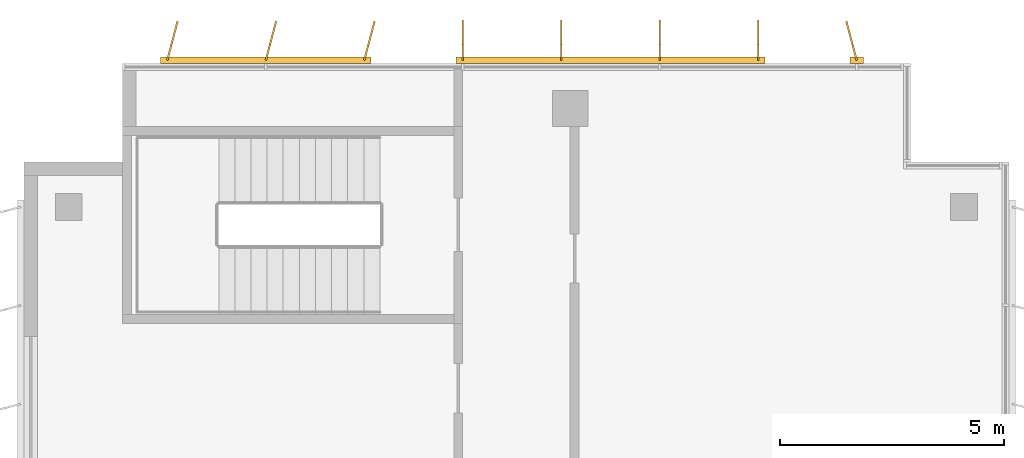
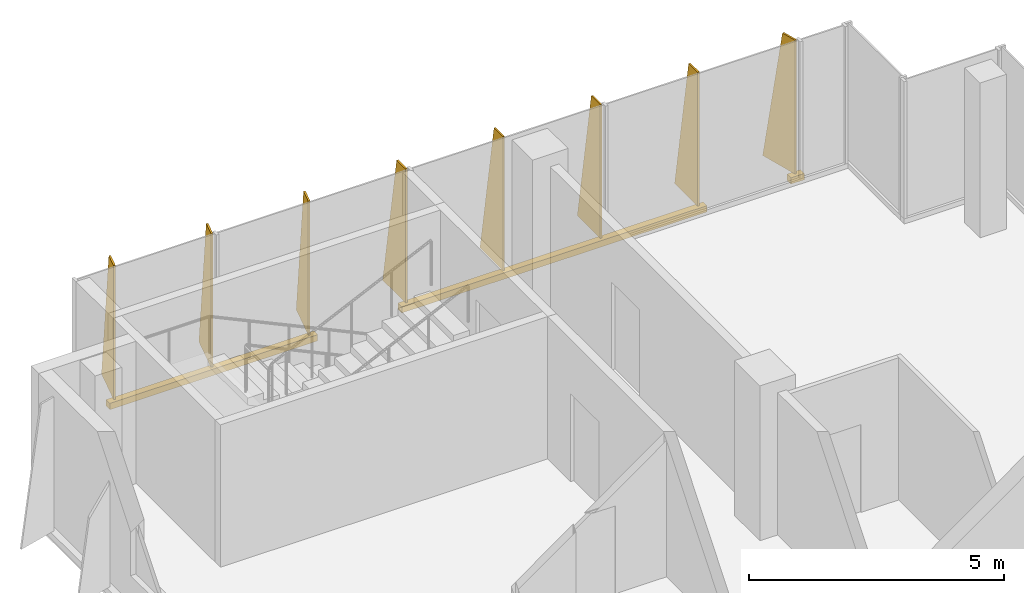
# One storey, part 15 of 15: 3 shading devices.
"""IFC4 building model written with IfcOpenShell, lengths in metres."""

from ifc_helpers import new_model, si_unit, direction, frame, origin, origin_2d, place, context, subcontext, project, spatial, polyline, rectangle, outline, extrude, source, transform, mapped, material, layer, layer_set, type_object, element, save


model = new_model("IFC4")

# Units and contexts
model_context = context("Model", 3, precision=1e-05, world=origin(), true_north=direction((0.0, 1.0)))
body_context = subcontext(model_context, "Body", "Model", "MODEL_VIEW")
ifc_project = project(units=[si_unit("LENGTHUNIT", "METRE"), si_unit("AREAUNIT", "SQUARE_METRE"), si_unit("VOLUMEUNIT", "CUBIC_METRE"), si_unit("PLANEANGLEUNIT", "RADIAN"), si_unit("MASSUNIT", "GRAM", prefix="KILO")], contexts=[model_context])

# Site, building, storey
site_placement = place(None, origin())
site = spatial("IfcSite", under=ifc_project, at=site_placement, CompositionType="ELEMENT")
building_placement = place(site_placement, origin())
building = spatial("IfcBuilding", under=site, at=building_placement, Name="Kemantara Hotel Tower", CompositionType="ELEMENT")
storey_placement = place(building_placement, frame((0.0, 0.0, 294.39990234375)))
storey = spatial("IfcBuildingStorey", under=building, at=storey_placement, Name="L74", CompositionType="ELEMENT", Elevation=294.39990234375)

# Shading devices
ifc_material = material(Name="Perforated aluminium plate 4 mm bronze anodised", Category="aluminium")
ifc_layer_1 = layer(ifc_material, 0.0400390625)
ifc_layer_set_1 = layer_set([ifc_layer_1], Name="Perforated aluminium plate 4 mm bronze anodised")
shading_device_type_1 = type_object("IfcShadingDeviceType", Name="SCREEN FIN CASSETTE, 3 BLADES AT -15.0 DEG, 3200 HIGH", PredefinedType="USERDEFINED", material=ifc_layer_set_1)
shared_shape_1 = source(origin(), body_context, "Body", "SweptSolid", [
    extrude(rectangle(XDim=4.699951171875, YDim=0.14990234375, at=origin_2d()), frame((2.199951171875, -0.074951171875, -0.14990234375), z_axis=(0.0, 0.0, 1.0), x_axis=(1.0, 0.0, 0.0)), (0.0, 0.0, 1.0), 0.14990234375),
    extrude(outline(polyline([(0.0, 0.0), (0.89990234375, 0.0), (0.35009765625, 3.199951171875), (0.0, 3.199951171875), (0.0, 0.0)])), frame((0.019287109375, -0.080078125, 0.0), z_axis=(-0.966437683387, 0.256901156343, 0.0), x_axis=(-0.256901156343, -0.966437683387, 0.0)), (0.0, 0.0, 1.0), 0.039794921875),
    extrude(outline(polyline([(0.0, 0.0), (0.89990234375, 0.0), (0.35009765625, 3.199951171875), (0.0, 3.199951171875), (0.0, 0.0)])), frame((2.21923828125, -0.080078125, 0.0), z_axis=(-0.966437683387, 0.256901156343, 0.0), x_axis=(-0.256901156343, -0.966437683387, 0.0)), (0.0, 0.0, 1.0), 0.039794921875),
    extrude(outline(polyline([(0.0, 0.0), (0.89990234375, 0.0), (0.35009765625, 3.199951171875), (0.0, 3.199951171875), (0.0, 0.0)])), frame((4.41943359375, -0.080078125, 0.0), z_axis=(-0.966837822169, 0.255391122837, 0.0), x_axis=(-0.255391122837, -0.966837822169, 0.0)), (0.0, 0.0, 1.0), 0.0400390625),
])
shading_device_1_placement = place(storey_placement, frame((7.60009765625, 63.60009765625, 0.10009765625), z_axis=(0.0, 0.0, 1.0), x_axis=(-1.0, 0.0, 0.0)))
element("IfcShadingDevice", 1, at=shading_device_1_placement, inside=storey, type_object=shading_device_type_1, Name="SCREEN FIN CASSETTE L74 T4-R02-3", ObjectType="SCREEN FIN", PredefinedType="USERDEFINED", context=body_context, shape_type="MappedRepresentation", body=[
    mapped(shared_shape_1, transform((0.0, 0.0, 0.0))),
])
ifc_layer_2 = layer(ifc_material, 0.0400390625)
ifc_layer_set_2 = layer_set([ifc_layer_2], Name="Perforated aluminium plate 4 mm bronze anodised")
shading_device_type_2 = type_object("IfcShadingDeviceType", Name="SCREEN FIN CASSETTE, 4 BLADES AT +0.0 DEG, 3200 HIGH", PredefinedType="USERDEFINED", material=ifc_layer_set_2)
shared_shape_2 = source(origin(), body_context, "Body", "SweptSolid", [
    extrude(rectangle(XDim=6.89990234375, YDim=0.14990234375, at=origin_2d()), frame((3.300048828125, -0.074951171875, -0.14990234375), z_axis=(0.0, 0.0, 1.0), x_axis=(1.0, 0.0, 0.0)), (0.0, 0.0, 1.0), 0.14990234375),
    extrude(outline(polyline([(0.0, 0.0), (0.89990234375, 0.0), (0.35009765625, 3.199951171875), (0.0, 3.199951171875), (0.0, 0.0)])), frame((0.02001953125, -0.074951171875, 0.0), z_axis=(-1.0, 0.0, 0.0), x_axis=(0.0, -1.0, 0.0)), (0.0, 0.0, 1.0), 0.0400390625),
    extrude(outline(polyline([(0.0, 0.0), (0.89990234375, 0.0), (0.35009765625, 3.199951171875), (0.0, 3.199951171875), (0.0, 0.0)])), frame((2.219970703125, -0.074951171875, 0.0), z_axis=(-1.0, 0.0, 0.0), x_axis=(0.0, -1.0, 0.0)), (0.0, 0.0, 1.0), 0.0400390625),
    extrude(outline(polyline([(0.0, 0.0), (0.89990234375, 0.0), (0.35009765625, 3.199951171875), (0.0, 3.199951171875), (0.0, 0.0)])), frame((4.419921875, -0.074951171875, 0.0), z_axis=(-1.0, 0.0, 0.0), x_axis=(0.0, -1.0, 0.0)), (0.0, 0.0, 1.0), 0.0400390625),
    extrude(outline(polyline([(0.0, 0.0), (0.89990234375, 0.0), (0.35009765625, 3.199951171875), (0.0, 3.199951171875), (0.0, 0.0)])), frame((6.6201171875, -0.074951171875, 0.0), z_axis=(-1.0, 0.0, 0.0), x_axis=(0.0, -1.0, 0.0)), (0.0, 0.0, 1.0), 0.0400390625),
])
shading_device_2_placement = place(storey_placement, frame((16.39990234375, 63.60009765625, 0.10009765625), z_axis=(0.0, 0.0, 1.0), x_axis=(-1.0, 0.0, 0.0)))
element("IfcShadingDevice", 2, at=shading_device_2_placement, inside=storey, type_object=shading_device_type_2, Name="SCREEN FIN CASSETTE L74 T4-R02-2", ObjectType="SCREEN FIN", PredefinedType="USERDEFINED", context=body_context, shape_type="MappedRepresentation", body=[
    mapped(shared_shape_2, transform((0.0, 0.0, 0.0))),
])
ifc_layer_3 = layer(ifc_material, 0.0400390625)
ifc_layer_set_3 = layer_set([ifc_layer_3], Name="Perforated aluminium plate 4 mm bronze anodised")
shading_device_type_3 = type_object("IfcShadingDeviceType", Name="SCREEN FIN CASSETTE, 1 BLADE AT +15.0 DEG, 3200 HIGH", PredefinedType="USERDEFINED", material=ifc_layer_set_3)
shared_shape_3 = source(origin(), body_context, "Body", "SweptSolid", [
    extrude(rectangle(XDim=0.300048828125, YDim=0.14990234375, at=origin_2d()), frame((0.0, -0.074951171875, -0.14990234375), z_axis=(0.0, 0.0, 1.0), x_axis=(1.0, 0.0, 0.0)), (0.0, 0.0, 1.0), 0.14990234375),
    extrude(outline(polyline([(0.0, 0.0), (0.89990234375, 0.0), (0.35009765625, 3.199951171875), (0.0, 3.199951171875), (0.0, 0.0)])), frame((0.019287109375, -0.06982421875, 0.0), z_axis=(-0.966437683387, -0.256901156343, 0.0), x_axis=(0.256901156343, -0.966437683387, 0.0)), (0.0, 0.0, 1.0), 0.039794921875),
])
shading_device_3_placement = place(storey_placement, frame((18.60009765625, 63.60009765625, 0.10009765625), z_axis=(0.0, 0.0, 1.0), x_axis=(-1.0, 0.0, 0.0)))
element("IfcShadingDevice", 3, at=shading_device_3_placement, inside=storey, type_object=shading_device_type_3, Name="SCREEN FIN CASSETTE L74 T4-R02-1", ObjectType="SCREEN FIN", PredefinedType="USERDEFINED", context=body_context, shape_type="MappedRepresentation", body=[
    mapped(shared_shape_3, transform((0.0, 0.0, 0.0))),
])

save(model, "model.ifc")
